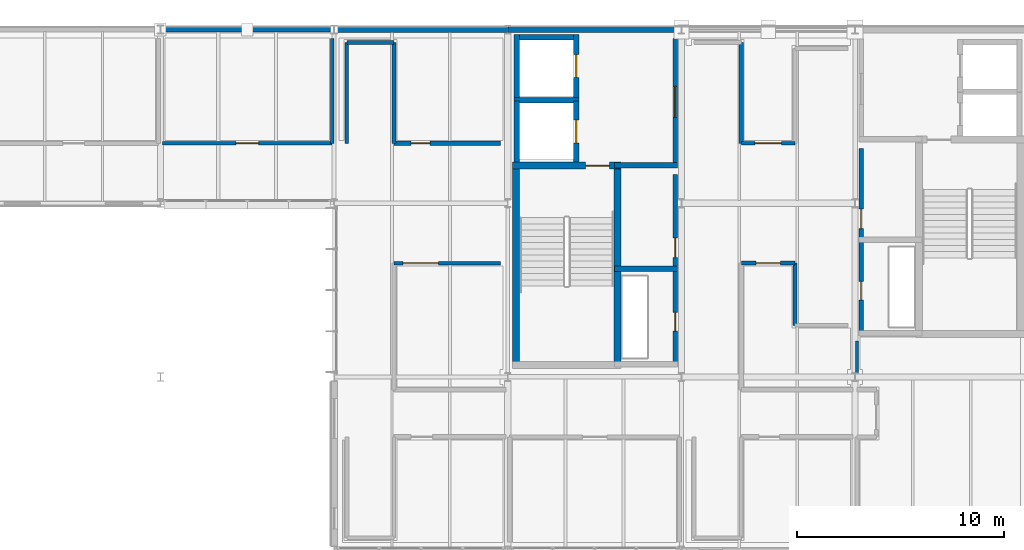
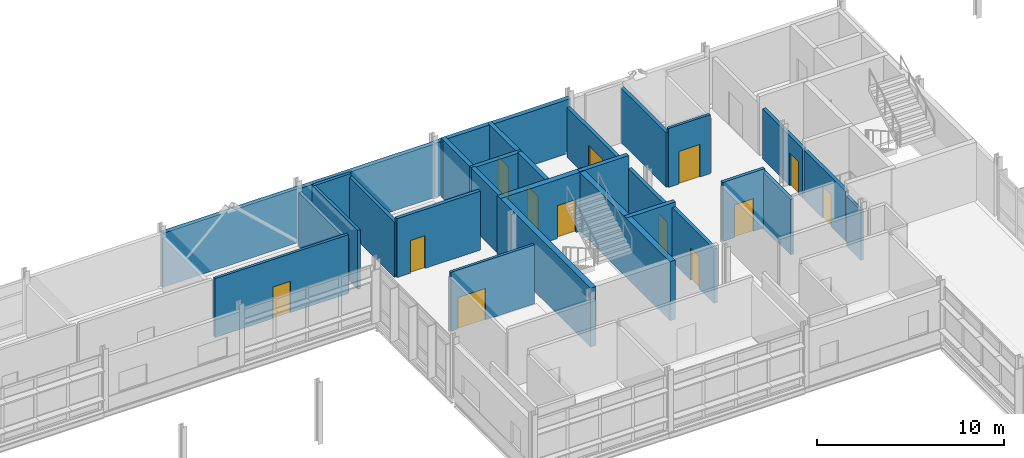
# One storey, part 55 of 66: 31 walls, 13 doors, 13 openings.
"""IFC4 building model written with IfcOpenShell, lengths in metres."""

from ifc_helpers import new_model, si_unit, direction, frame, frame_2d, origin, place, context, subcontext, project, spatial, rectangle, extrude, material, layer, layer_set, type_object, element, fill, save


model = new_model("IFC4")

# Units and contexts
model_context = context("Model", 3, precision=1e-05, world=origin(), true_north=direction((0.0, 1.0)))
body_context = subcontext(model_context, "Body", "Model", "MODEL_VIEW")
ifc_project = project(units=[si_unit("LENGTHUNIT", "METRE"), si_unit("AREAUNIT", "SQUARE_METRE"), si_unit("VOLUMEUNIT", "CUBIC_METRE"), si_unit("PLANEANGLEUNIT", "RADIAN"), si_unit("MASSUNIT", "GRAM", prefix="KILO")], contexts=[model_context])

# Site, building, storey
site_placement = place(None, origin())
site = spatial("IfcSite", under=ifc_project, at=site_placement, CompositionType="ELEMENT")
building_placement = place(site_placement, origin())
building = spatial("IfcBuilding", under=site, at=building_placement, Name="Mersafa Astral City Hall", CompositionType="ELEMENT")
storey_placement = place(building_placement, frame((0.0, 0.0, 22.050048828125)))
storey = spatial("IfcBuildingStorey", under=building, at=storey_placement, Name="L05", CompositionType="ELEMENT", Elevation=22.050048828125)

# Walls
ifc_material_1 = material(Name="Precast concrete C40/50 insulated terracotta spandrel", Category="masonry")
ifc_layer_1 = layer(ifc_material_1, 0.25, Name="Precast concrete C40/50 insulated terracotta spandrel")
ifc_layer_set_1 = layer_set([ifc_layer_1], Name="Precast concrete C40/50 insulated terracotta spandrel — ENV-WAL-EXT-250")
wall_type_1 = type_object("IfcWallType", Name="ENV-WAL-EXT-250", PredefinedType="STANDARD", material=ifc_layer_set_1)
wall_1_placement = place(storey_placement, frame((142.7919921875, 126.0, 0.0), z_axis=(0.0, 0.0, 1.0), x_axis=(-1.0, 0.0, 0.0)))
element("IfcWall", 1, at=wall_1_placement, inside=storey, type_object=wall_type_1, Name="L05 Limestone-clad exterior wall 346", PredefinedType="STANDARD", context=body_context, shape_type="SweptSolid", body=[
    extrude(rectangle(XDim=8.384033203125, YDim=0.25, at=frame_2d((4.19189453125, 0.0))), origin(), (0.0, 0.0, 1.0), 3.52685546875),
])
ifc_material_2 = material(Name="Precast concrete C40/50 insulated limestone wall", Category="masonry")
ifc_layer_2 = layer(ifc_material_2, 0.264892578125, Name="Precast concrete C40/50 insulated limestone wall")
ifc_layer_set_2 = layer_set([ifc_layer_2], Name="Precast concrete C40/50 insulated limestone wall — ENV-WAL-EXT-265")
wall_type_2 = type_object("IfcWallType", Name="ENV-WAL-EXT-265", PredefinedType="STANDARD", material=ifc_layer_set_2)
wall_2_placement = place(storey_placement, frame((151.19189453125, 126.0, 0.0), z_axis=(0.0, 0.0, 1.0), x_axis=(-1.0, 0.0, 0.0)))
element("IfcWall", 2, at=wall_2_placement, inside=storey, type_object=wall_type_2, Name="L05 Limestone-clad exterior wall 345", PredefinedType="STANDARD", context=body_context, shape_type="SweptSolid", body=[
    extrude(rectangle(XDim=8.3837890625, YDim=0.264892578125, at=frame_2d((4.19189453125, 0.0))), origin(), (0.0, 0.0, 1.0), 3.4970703125),
])
ifc_layer_3 = layer(ifc_material_2, 0.280029296875, Name="Precast concrete C40/50 insulated limestone wall")
ifc_layer_set_3 = layer_set([ifc_layer_3], Name="Precast concrete C40/50 insulated limestone wall — ENV-WAL-EXT-280")
wall_type_3 = type_object("IfcWallType", Name="ENV-WAL-EXT-280", PredefinedType="STANDARD", material=ifc_layer_set_3)
wall_3_placement = place(storey_placement, frame((159.592041015625, 126.0, 0.0), z_axis=(0.0, 0.0, 1.0), x_axis=(-1.0, 0.0, 0.0)))
element("IfcWall", 3, at=wall_3_placement, inside=storey, type_object=wall_type_3, Name="L05 Limestone-clad exterior wall 344", PredefinedType="STANDARD", context=body_context, shape_type="SweptSolid", body=[
    extrude(rectangle(XDim=8.384033203125, YDim=0.280029296875, at=frame_2d((4.19189453125, 0.0))), origin(), (0.0, 0.0, 1.0), 3.52685546875),
])
ifc_material_3 = material(Name="Concrete C40/50", Category="concrete")
ifc_layer_4 = layer(ifc_material_3, 0.260009765625, Name="Concrete C40/50")
ifc_layer_set_4 = layer_set([ifc_layer_4], Name="Concrete C40/50 — INT-WAL-CORE-260")
wall_type_4 = type_object("IfcWallType", Name="INT-WAL-CORE-260", PredefinedType="SHEAR", material=ifc_layer_set_4)
wall_4_placement = place(storey_placement, frame((151.514892578125, 122.5849609375, 0.0), z_axis=(0.0, 0.0, 1.0), x_axis=(1.0, 0.0, 0.0)))
element("IfcWall", 4, at=wall_4_placement, inside=storey, type_object=wall_type_4, Name="L05 Lift LF1 north shaft wall", PredefinedType="SHEAR", context=body_context, shape_type="SweptSolid", body=[
    extrude(rectangle(XDim=3.130126953125, YDim=0.260009765625, at=frame_2d((1.56494140625, 0.0))), origin(), (0.0, 0.0, 1.0), 3.849853515625),
])
wall_5_placement = place(storey_placement, frame((151.64501953125, 119.596923828125, 0.0), z_axis=(0.0, 0.0, 1.0), x_axis=(0.0, 1.0, 0.0)))
element("IfcWall", 5, at=wall_5_placement, inside=storey, type_object=wall_type_4, Name="L05 Lift LF1 back shaft wall", PredefinedType="SHEAR", context=body_context, shape_type="SweptSolid", body=[
    extrude(rectangle(XDim=2.947998046875, YDim=0.260009765625, at=frame_2d((1.47412109375, 0.0))), origin(), (0.0, 0.0, 1.0), 3.849853515625),
])

# Wall, opening, door
wall_6_placement = place(storey_placement, frame((154.514892578125, 119.596923828125, 0.0), z_axis=(0.0, 0.0, 1.0), x_axis=(0.0, 1.0, 0.0)))
wall_6 = element("IfcWall", 6, at=wall_6_placement, inside=storey, type_object=wall_type_4, Name="L05 Lift LF1 front shaft wall", PredefinedType="SHEAR", context=body_context, shape_type="SweptSolid", body=[
    extrude(rectangle(XDim=2.947998046875, YDim=0.260009765625, at=frame_2d((1.47412109375, 0.0))), origin(), (0.0, 0.0, 1.0), 3.849853515625),
])
opening_1_placement = place(wall_6_placement, frame((0.924072265625, 0.0, 0.0)))
opening_1 = element("IfcOpeningElement", 7, at=opening_1_placement, cuts=wall_6, Name="Opening LD-1", PredefinedType="OPENING", context=body_context, shape_type="SweptSolid", body=[
    extrude(rectangle(XDim=1.10009765625, YDim=2.14990234375, at=frame_2d((0.550048828125, 1.074951171875))), frame((0.0, 0.139892578125, 0.0), z_axis=(0.0, -1.0, 0.0), x_axis=(1.0, 0.0, 0.0)), (0.0, 0.0, 1.0), 0.280029296875),
])
ifc_material_4 = material(Name="Stainless steel sliding lift landing door", Category="steel")
door_type_1 = type_object("IfcDoorType", Name="INT-DR-LIFT-LD1", OperationType="NOTDEFINED", PredefinedType="DOOR", material=ifc_material_4)
door_1_placement = place(opening_1_placement, origin())
door_1 = element("IfcDoor", 8, at=door_1_placement, inside=storey, type_object=door_type_1, Name="Elevator LF1 Sliding Landing Door L05", OperationType="DOUBLE_DOOR_SLIDING", OverallHeight=2.14990234375, OverallWidth=1.10009765625, PredefinedType="DOOR", context=body_context, shape_type="SweptSolid", body=[
    extrude(rectangle(XDim=1.10009765625, YDim=2.14990234375, at=frame_2d((0.550048828125, 1.074951171875))), frame((0.0, 0.02490234375, 0.0), z_axis=(0.0, -1.0, 0.0), x_axis=(1.0, 0.0, 0.0)), (0.0, 0.0, 1.0), 0.050048828125),
])
fill(opening_1, door_1)

# Walls
wall_7_placement = place(storey_placement, frame((151.514892578125, 125.635009765625, 0.0), z_axis=(0.0, 0.0, 1.0), x_axis=(1.0, 0.0, 0.0)))
element("IfcWall", 9, at=wall_7_placement, inside=storey, type_object=wall_type_4, Name="L05 Lift LF3 north shaft wall", PredefinedType="SHEAR", context=body_context, shape_type="SweptSolid", body=[
    extrude(rectangle(XDim=3.130126953125, YDim=0.260009765625, at=frame_2d((1.56494140625, 0.0))), origin(), (0.0, 0.0, 1.0), 3.849853515625),
])
wall_8_placement = place(storey_placement, frame((151.64501953125, 122.705078125, 0.0), z_axis=(0.0, 0.0, 1.0), x_axis=(0.0, 1.0, 0.0)))
element("IfcWall", 10, at=wall_8_placement, inside=storey, type_object=wall_type_4, Name="L05 Lift LF3 back shaft wall", PredefinedType="SHEAR", context=body_context, shape_type="SweptSolid", body=[
    extrude(rectangle(XDim=3.059814453125, YDim=0.260009765625, at=frame_2d((1.52978515625, 0.0))), origin(), (0.0, 0.0, 1.0), 3.849853515625),
])

# Wall, opening, door
wall_9_placement = place(storey_placement, frame((154.514892578125, 122.705078125, 0.0), z_axis=(0.0, 0.0, 1.0), x_axis=(0.0, 1.0, 0.0)))
wall_9 = element("IfcWall", 11, at=wall_9_placement, inside=storey, type_object=wall_type_4, Name="L05 Lift LF3 front shaft wall", PredefinedType="SHEAR", context=body_context, shape_type="SweptSolid", body=[
    extrude(rectangle(XDim=3.059814453125, YDim=0.260009765625, at=frame_2d((1.52978515625, 0.0))), origin(), (0.0, 0.0, 1.0), 3.849853515625),
])
opening_2_placement = place(wall_9_placement, frame((0.97998046875, 0.0, 0.0)))
opening_2 = element("IfcOpeningElement", 12, at=opening_2_placement, cuts=wall_9, Name="Opening LD-1", PredefinedType="OPENING", context=body_context, shape_type="SweptSolid", body=[
    extrude(rectangle(XDim=1.10009765625, YDim=2.14990234375, at=frame_2d((0.550048828125, 1.074951171875))), frame((0.0, 0.139892578125, 0.0), z_axis=(0.0, -1.0, 0.0), x_axis=(1.0, 0.0, 0.0)), (0.0, 0.0, 1.0), 0.280029296875),
])
door_2_placement = place(opening_2_placement, origin())
door_2 = element("IfcDoor", 13, at=door_2_placement, inside=storey, type_object=door_type_1, Name="Elevator LF3 Sliding Landing Door L05", OperationType="DOUBLE_DOOR_SLIDING", OverallHeight=2.14990234375, OverallWidth=1.10009765625, PredefinedType="DOOR", context=body_context, shape_type="SweptSolid", body=[
    extrude(rectangle(XDim=1.10009765625, YDim=2.14990234375, at=frame_2d((0.550048828125, 1.074951171875))), frame((0.0, 0.02490234375, 0.0), z_axis=(0.0, -1.0, 0.0), x_axis=(1.0, 0.0, 0.0)), (0.0, 0.0, 1.0), 0.050048828125),
])
fill(opening_2, door_2)

# Walls
for number, where, z_axis, x_axis, name in (
    (14, (156.364990234375, 114.43505859375, 0.0), (0.0, 0.0, 1.0), (1.0, 0.0, 0.0), "L05 Core K1 riser-restroom divider wall"),
    (15, (156.364990234375, 119.43505859375, 0.0), (0.0, 0.0, 1.0), (1.0, 0.0, 0.0), "L05 Core K1 restroom-lobby divider wall"),
):
    element("IfcWall", number, at=place(storey_placement, frame(where, z_axis=z_axis, x_axis=x_axis)), inside=storey, type_object=wall_type_4, Name=name, PredefinedType="SHEAR", context=body_context, shape_type="SweptSolid", body=[
        extrude(rectangle(XDim=3.034912109375, YDim=0.260009765625, at=frame_2d((1.517578125, 0.0))), origin(), (0.0, 0.0, 1.0), 3.849853515625),
    ])
ifc_layer_5 = layer(ifc_material_3, 0.340087890625, Name="Concrete C40/50")
ifc_layer_set_5 = layer_set([ifc_layer_5], Name="Concrete C40/50 — INT-WAL-CORE-340")
wall_type_5 = type_object("IfcWallType", Name="INT-WAL-CORE-340", PredefinedType="SHEAR", material=ifc_layer_set_5)
for number, where, z_axis, x_axis, name in (
    (16, (151.60498046875, 109.60498046875, 0.0), (0.0, 0.0, 1.0), (0.0, 1.0, 0.0), "L05 Core K1 stair west shear wall"),
    (17, (156.514892578125, 109.60498046875, 0.0), (0.0, 0.0, 1.0), (0.0, 1.0, 0.0), "L05 Core K1 stair east shear wall"),
):
    element("IfcWall", number, at=place(storey_placement, frame(where, z_axis=z_axis, x_axis=x_axis)), inside=storey, type_object=wall_type_5, Name=name, PredefinedType="SHEAR", context=body_context, shape_type="SweptSolid", body=[
        extrude(rectangle(XDim=9.989990234375, YDim=0.340087890625, at=frame_2d((4.9951171875, 0.0))), origin(), (0.0, 0.0, 1.0), 3.849853515625),
    ])

# Wall, opening, door
wall_10_placement = place(storey_placement, frame((151.43505859375, 119.425048828125, 0.0), z_axis=(0.0, 0.0, 1.0), x_axis=(1.0, 0.0, 0.0)))
wall_10 = element("IfcWall", 18, at=wall_10_placement, inside=storey, type_object=wall_type_5, Name="L05 Core K1 stair-lobby fire wall", PredefinedType="SHEAR", context=body_context, shape_type="SweptSolid", body=[
    extrude(rectangle(XDim=5.25, YDim=0.340087890625, at=frame_2d((2.625, 0.0))), origin(), (0.0, 0.0, 1.0), 3.849853515625),
])
opening_3_placement = place(wall_10_placement, frame((3.534912109375, 0.0, 0.0)))
opening_3 = element("IfcOpeningElement", 19, at=opening_3_placement, cuts=wall_10, Name="Opening CD-1", PredefinedType="OPENING", context=body_context, shape_type="SweptSolid", body=[
    extrude(rectangle(XDim=1.14990234375, YDim=2.14990234375, at=frame_2d((0.574951171875, 1.074951171875))), frame((0.0, 0.179931640625, 0.0), z_axis=(0.0, -1.0, 0.0), x_axis=(1.0, 0.0, 0.0)), (0.0, 0.0, 1.0), 0.360107421875),
])
ifc_material_5 = material(Name="Fire-rated steel stair door", Category="steel")
door_type_2 = type_object("IfcDoorType", Name="INT-DR-STAIR-FD90-1150", OperationType="NOTDEFINED", PredefinedType="DOOR", material=ifc_material_5)
door_3_placement = place(opening_3_placement, origin())
door_3 = element("IfcDoor", 20, at=door_3_placement, inside=storey, type_object=door_type_2, Name="L05 Protected Stair ST1 Door", OperationType="SINGLE_SWING_LEFT", OverallHeight=2.14990234375, OverallWidth=1.14990234375, PredefinedType="DOOR", context=body_context, shape_type="SweptSolid", body=[
    extrude(rectangle(XDim=1.14990234375, YDim=2.14990234375, at=frame_2d((0.574951171875, 1.074951171875))), frame((0.0, 0.02490234375, 0.0), z_axis=(0.0, -1.0, 0.0), x_axis=(1.0, 0.0, 0.0)), (0.0, 0.0, 1.0), 0.050048828125),
])
fill(opening_3, door_3)

# Wall
ifc_material_6 = material(Name="Acoustic steel-stud gypsum partition", Category="steel")
ifc_layer_6 = layer(ifc_material_6, 0.14990234375, Name="Acoustic steel-stud gypsum partition")
ifc_layer_set_6 = layer_set([ifc_layer_6], Name="Acoustic steel-stud gypsum partition — INT-WAL-PART-EI30-150")
wall_type_6 = type_object("IfcWallType", Name="INT-WAL-PART-EI30-150", PredefinedType="STANDARD", material=ifc_layer_set_6)
wall_11_placement = place(storey_placement, frame((168.090087890625, 109.3740234375, -0.004150390625), z_axis=(0.0, 0.0, 1.0), x_axis=(0.0, 1.0, 0.0)))
element("IfcWall", 21, at=wall_11_placement, inside=storey, type_object=wall_type_6, Name="L05 Interior partition wall 741", PredefinedType="STANDARD", context=body_context, shape_type="SweptSolid", body=[
    extrude(rectangle(XDim=1.56591796875, YDim=0.14990234375, at=frame_2d((0.782958984375, 0.0))), origin(), (0.0, 0.0, 1.0), 3.260986328125),
])

# Wall, opening, door
ifc_material_7 = material(Name="Fire-rated gypsum stud partition", Category="gypsum")
ifc_layer_7 = layer(ifc_material_7, 0.1650390625, Name="Fire-rated gypsum stud partition")
ifc_layer_set_7 = layer_set([ifc_layer_7], Name="Fire-rated gypsum stud partition — INT-WAL-PART-EI60-165")
wall_type_7 = type_object("IfcWallType", Name="INT-WAL-PART-EI60-165", PredefinedType="STANDARD", material=ifc_layer_set_7)
wall_12_placement = place(storey_placement, frame((142.7099609375, 120.5, -0.004150390625), z_axis=(0.0, 0.0, 1.0), x_axis=(-1.0, 0.0, 0.0)))
wall_12 = element("IfcWall", 22, at=wall_12_placement, inside=storey, type_object=wall_type_7, Name="L05 Interior partition wall 759", PredefinedType="STANDARD", context=body_context, shape_type="SweptSolid", body=[
    extrude(rectangle(XDim=8.219970703125, YDim=0.1650390625, at=frame_2d((4.10986328125, 0.0))), origin(), (0.0, 0.0, 1.0), 3.85400390625),
])
opening_4_placement = place(wall_12_placement, frame((3.56005859375, 0.0, 0.0)))
opening_4 = element("IfcOpeningElement", 23, at=opening_4_placement, cuts=wall_12, Name="Opening D-04", PredefinedType="OPENING", context=body_context, shape_type="SweptSolid", body=[
    extrude(rectangle(XDim=1.10009765625, YDim=2.06005859375, at=frame_2d((0.550048828125, 1.030029296875))), frame((0.0, 0.092529296875, 0.0), z_axis=(0.0, -1.0, 0.0), x_axis=(1.0, 0.0, 0.0)), (0.0, 0.0, 1.0), 0.18505859375),
])
ifc_material_8 = material(Name="Cedar veneered acoustic fire-rated timber door", Category="wood")
door_type_3 = type_object("IfcDoorType", Name="INT-DR-RM-D-04", OperationType="NOTDEFINED", PredefinedType="DOOR", material=ifc_material_8)
door_4_placement = place(opening_4_placement, origin())
door_4 = element("IfcDoor", 24, at=door_4_placement, inside=storey, type_object=door_type_3, Name="L05 Deputy Mayor Executive Suite L05-09 Entrance Door", OperationType="SINGLE_SWING_RIGHT", OverallHeight=2.06005859375, OverallWidth=1.10009765625, PredefinedType="DOOR", context=body_context, shape_type="SweptSolid", body=[
    extrude(rectangle(XDim=1.10009765625, YDim=2.06005859375, at=frame_2d((0.550048828125, 1.030029296875))), frame((0.0, 0.02490234375, 0.0), z_axis=(0.0, -1.0, 0.0), x_axis=(1.0, 0.0, 0.0)), (0.0, 0.0, 1.0), 0.050048828125),
])
fill(opening_4, door_4)

wall_13_placement = place(storey_placement, frame((145.699951171875, 114.699951171875, -0.004150390625), z_axis=(0.0, 0.0, 1.0), x_axis=(1.0, 0.0, 0.0)))
wall_13 = element("IfcWall", 25, at=wall_13_placement, inside=storey, type_object=wall_type_7, Name="L05 Interior partition wall 775", PredefinedType="STANDARD", context=body_context, shape_type="SweptSolid", body=[
    extrude(rectangle(XDim=5.16015625, YDim=0.1650390625, at=frame_2d((2.580078125, 0.0))), origin(), (0.0, 0.0, 1.0), 3.85400390625),
])
opening_5_placement = place(wall_13_placement, frame((0.429931640625, 0.0, 0.0)))
opening_5 = element("IfcOpeningElement", 26, at=opening_5_placement, cuts=wall_13, Name="Opening D-09", PredefinedType="OPENING", context=body_context, shape_type="SweptSolid", body=[
    extrude(rectangle(XDim=1.719970703125, YDim=2.06005859375, at=frame_2d((0.85986328125, 1.030029296875))), frame((0.0, 0.092529296875, 0.0), z_axis=(0.0, -1.0, 0.0), x_axis=(1.0, 0.0, 0.0)), (0.0, 0.0, 1.0), 0.18505859375),
])
door_type_4 = type_object("IfcDoorType", Name="INT-DR-RM-D-09", OperationType="NOTDEFINED", PredefinedType="DOOR", material=ifc_material_8)
door_5_placement = place(opening_5_placement, origin())
door_5 = element("IfcDoor", 27, at=door_5_placement, inside=storey, type_object=door_type_4, Name="L05 Public Restroom L05-14 Entrance Door", OperationType="SINGLE_SWING_LEFT", OverallHeight=2.06005859375, OverallWidth=1.719970703125, PredefinedType="DOOR", context=body_context, shape_type="SweptSolid", body=[
    extrude(rectangle(XDim=1.719970703125, YDim=2.06005859375, at=frame_2d((0.85986328125, 1.030029296875))), frame((0.0, 0.02490234375, 0.0), z_axis=(0.0, -1.0, 0.0), x_axis=(1.0, 0.0, 0.0)), (0.0, 0.0, 1.0), 0.050048828125),
])
fill(opening_5, door_5)

# Wall
wall_14_placement = place(storey_placement, frame((143.419921875, 125.3798828125, -0.004150390625), z_axis=(0.0, 0.0, 1.0), x_axis=(0.0, -1.0, 0.0)))
element("IfcWall", 28, at=wall_14_placement, inside=storey, type_object=wall_type_7, Name="L05 Interior partition wall 779", PredefinedType="STANDARD", context=body_context, shape_type="SweptSolid", body=[
    extrude(rectangle(XDim=4.8798828125, YDim=0.1650390625, at=frame_2d((2.43994140625, 0.0))), origin(), (0.0, 0.0, 1.0), 3.85400390625),
])

# Wall, opening, door
wall_15_placement = place(storey_placement, frame((165.10009765625, 120.5, -0.004150390625), z_axis=(0.0, 0.0, 1.0), x_axis=(-1.0, 0.0, 0.0)))
wall_15 = element("IfcWall", 29, at=wall_15_placement, inside=storey, type_object=wall_type_7, Name="L05 Interior partition wall 799", PredefinedType="STANDARD", context=body_context, shape_type="SweptSolid", body=[
    extrude(rectangle(XDim=2.60009765625, YDim=0.1650390625, at=frame_2d((1.300048828125, 0.0))), origin(), (0.0, 0.0, 1.0), 3.85400390625),
])
opening_6_placement = place(wall_15_placement, frame((0.659912109375, 0.0, 0.0)))
opening_6 = element("IfcOpeningElement", 30, at=opening_6_placement, cuts=wall_15, Name="Opening D-15", PredefinedType="OPENING", context=body_context, shape_type="SweptSolid", body=[
    extrude(rectangle(XDim=1.280029296875, YDim=2.139892578125, at=frame_2d((0.64013671875, 1.06982421875))), frame((0.0, 0.092529296875, 0.0), z_axis=(0.0, -1.0, 0.0), x_axis=(1.0, 0.0, 0.0)), (0.0, 0.0, 1.0), 0.18505859375),
])
door_type_5 = type_object("IfcDoorType", Name="INT-DR-RM-D-15", OperationType="NOTDEFINED", PredefinedType="DOOR", material=ifc_material_8)
door_6_placement = place(opening_6_placement, origin())
door_6 = element("IfcDoor", 31, at=door_6_placement, inside=storey, type_object=door_type_5, Name="L05 Protocol & Civic Events Office L05-20 Entrance Door", OperationType="SINGLE_SWING_LEFT", OverallHeight=2.139892578125, OverallWidth=1.280029296875, PredefinedType="DOOR", context=body_context, shape_type="SweptSolid", body=[
    extrude(rectangle(XDim=1.280029296875, YDim=2.139892578125, at=frame_2d((0.64013671875, 1.06982421875))), frame((0.0, 0.02490234375, 0.0), z_axis=(0.0, -1.0, 0.0), x_axis=(1.0, 0.0, 0.0)), (0.0, 0.0, 1.0), 0.050048828125),
])
fill(opening_6, door_6)

# Walls
ifc_material_9 = material(Name="Acoustic twin-stud gypsum partition", Category="gypsum")
ifc_layer_8 = layer(ifc_material_9, 0.179931640625, Name="Acoustic twin-stud gypsum partition")
ifc_layer_set_8 = layer_set([ifc_layer_8], Name="Acoustic twin-stud gypsum partition — INT-WAL-PART-EI60-180")
wall_type_8 = type_object("IfcWallType", Name="INT-WAL-PART-EI60-180", PredefinedType="STANDARD", material=ifc_layer_set_8)
wall_16_placement = place(storey_placement, frame((142.7099609375, 125.580078125, -0.004150390625), z_axis=(0.0, 0.0, 1.0), x_axis=(0.0, -1.0, 0.0)))
element("IfcWall", 32, at=wall_16_placement, inside=storey, type_object=wall_type_8, Name="L05 Interior partition wall 758", PredefinedType="STANDARD", context=body_context, shape_type="SweptSolid", body=[
    extrude(rectangle(XDim=5.080078125, YDim=0.179931640625, at=frame_2d((2.5400390625, 0.0))), origin(), (0.0, 0.0, 1.0), 3.510986328125),
])
wall_17_placement = place(storey_placement, frame((145.699951171875, 125.3798828125, -0.004150390625), z_axis=(0.0, 0.0, 1.0), x_axis=(-1.0, 0.0, 0.0)))
element("IfcWall", 33, at=wall_17_placement, inside=storey, type_object=wall_type_8, Name="L05 Interior partition wall 778", PredefinedType="STANDARD", context=body_context, shape_type="SweptSolid", body=[
    extrude(rectangle(XDim=2.280029296875, YDim=0.179931640625, at=frame_2d((1.14013671875, 0.0))), origin(), (0.0, 0.0, 1.0), 3.85400390625),
])
wall_18_placement = place(storey_placement, frame((165.10009765625, 114.699951171875, -0.004150390625), z_axis=(0.0, 0.0, 1.0), x_axis=(0.0, -1.0, 0.0)))
element("IfcWall", 34, at=wall_18_placement, inside=storey, type_object=wall_type_8, Name="L05 Interior partition wall 794", PredefinedType="STANDARD", context=body_context, shape_type="SweptSolid", body=[
    extrude(rectangle(XDim=3.0, YDim=0.179931640625, at=frame_2d((1.5, 0.0))), origin(), (0.0, 0.0, 1.0), 3.64111328125),
])
ifc_layer_9 = layer(ifc_material_9, 0.195068359375, Name="Acoustic twin-stud gypsum partition")
ifc_layer_set_9 = layer_set([ifc_layer_9], Name="Acoustic twin-stud gypsum partition — INT-WAL-PART-EI60-195")
wall_type_9 = type_object("IfcWallType", Name="INT-WAL-PART-EI60-195", PredefinedType="STANDARD", material=ifc_layer_set_9)
wall_19_placement = place(storey_placement, frame((145.699951171875, 120.5, -0.004150390625), z_axis=(0.0, 0.0, 1.0), x_axis=(0.0, 1.0, 0.0)))
element("IfcWall", 35, at=wall_19_placement, inside=storey, type_object=wall_type_9, Name="L05 Interior partition wall 777", PredefinedType="STANDARD", context=body_context, shape_type="SweptSolid", body=[
    extrude(rectangle(XDim=4.8798828125, YDim=0.195068359375, at=frame_2d((2.43994140625, 0.0))), origin(), (0.0, 0.0, 1.0), 3.62109375),
])

# Wall, opening, door
wall_20_placement = place(storey_placement, frame((162.5, 114.699951171875, -0.004150390625), z_axis=(0.0, 0.0, 1.0), x_axis=(1.0, 0.0, 0.0)))
wall_20 = element("IfcWall", 36, at=wall_20_placement, inside=storey, type_object=wall_type_9, Name="L05 Interior partition wall 793", PredefinedType="STANDARD", context=body_context, shape_type="SweptSolid", body=[
    extrude(rectangle(XDim=2.60009765625, YDim=0.195068359375, at=frame_2d((1.300048828125, 0.0))), origin(), (0.0, 0.0, 1.0), 3.85400390625),
])
opening_7_placement = place(wall_20_placement, frame((0.7099609375, 0.0, 0.0)))
opening_7 = element("IfcOpeningElement", 37, at=opening_7_placement, cuts=wall_20, Name="Opening D-14", PredefinedType="OPENING", context=body_context, shape_type="SweptSolid", body=[
    extrude(rectangle(XDim=1.179931640625, YDim=2.139892578125, at=frame_2d((0.58984375, 1.06982421875))), frame((0.0, 0.107421875, 0.0), z_axis=(0.0, -1.0, 0.0), x_axis=(1.0, 0.0, 0.0)), (0.0, 0.0, 1.0), 0.215087890625),
])
door_type_6 = type_object("IfcDoorType", Name="INT-DR-RM-D-14", OperationType="NOTDEFINED", PredefinedType="DOOR", material=ifc_material_8)
door_7_placement = place(opening_7_placement, origin())
door_7 = element("IfcDoor", 38, at=door_7_placement, inside=storey, type_object=door_type_6, Name="L05 Inter-District Coordination Room L05-19 Entrance Door", OperationType="SINGLE_SWING_RIGHT", OverallHeight=2.139892578125, OverallWidth=1.179931640625, PredefinedType="DOOR", context=body_context, shape_type="SweptSolid", body=[
    extrude(rectangle(XDim=1.179931640625, YDim=2.139892578125, at=frame_2d((0.58984375, 1.06982421875))), frame((0.0, 0.02490234375, 0.0), z_axis=(0.0, -1.0, 0.0), x_axis=(1.0, 0.0, 0.0)), (0.0, 0.0, 1.0), 0.050048828125),
])
fill(opening_7, door_7)

ifc_material_10 = material(Name="Autoclaved aerated concrete blockwork plastered", Category="masonry")
ifc_layer_10 = layer(ifc_material_10, 0.2099609375, Name="Autoclaved aerated concrete blockwork plastered")
ifc_layer_set_10 = layer_set([ifc_layer_10], Name="Autoclaved aerated concrete blockwork plastered — INT-WAL-PART-EI60-210")
wall_type_10 = type_object("IfcWallType", Name="INT-WAL-PART-EI60-210", PredefinedType="STANDARD", material=ifc_layer_set_10)
wall_21_placement = place(storey_placement, frame((159.300048828125, 109.820068359375, 0.0), z_axis=(0.0, 0.0, 1.0), x_axis=(0.0, 1.0, 0.0)))
wall_21 = element("IfcWall", 39, at=wall_21_placement, inside=storey, type_object=wall_type_10, Name="L05 Core K1 riser corridor partition", PredefinedType="STANDARD", context=body_context, shape_type="SweptSolid", body=[
    extrude(rectangle(XDim=4.58984375, YDim=0.2099609375, at=frame_2d((2.294921875, 0.0))), origin(), (0.0, 0.0, 1.0), 3.546875),
])
opening_8_placement = place(wall_21_placement, frame((1.60009765625, 0.0, 0.0)))
opening_8 = element("IfcOpeningElement", 40, at=opening_8_placement, cuts=wall_21, Name="Opening CD-5", PredefinedType="OPENING", context=body_context, shape_type="SweptSolid", body=[
    extrude(rectangle(XDim=0.89990234375, YDim=2.10009765625, at=frame_2d((0.449951171875, 1.050048828125))), frame((0.0, 0.114990234375, 0.0), z_axis=(0.0, -1.0, 0.0), x_axis=(1.0, 0.0, 0.0)), (0.0, 0.0, 1.0), 0.22998046875),
])
ifc_material_11 = material(Name="Fire-rated steel riser access door", Category="steel")
door_type_7 = type_object("IfcDoorType", Name="INT-DR-RISER-FD60-900", OperationType="NOTDEFINED", PredefinedType="DOOR", material=ifc_material_11)
door_8_placement = place(opening_8_placement, origin())
door_8 = element("IfcDoor", 41, at=door_8_placement, inside=storey, type_object=door_type_7, Name="L05 K1 MEP Riser Access Door", OperationType="SINGLE_SWING_RIGHT", OverallHeight=2.10009765625, OverallWidth=0.89990234375, PredefinedType="DOOR", context=body_context, shape_type="SweptSolid", body=[
    extrude(rectangle(XDim=0.89990234375, YDim=2.10009765625, at=frame_2d((0.449951171875, 1.050048828125))), frame((0.0, 0.02490234375, 0.0), z_axis=(0.0, -1.0, 0.0), x_axis=(1.0, 0.0, 0.0)), (0.0, 0.0, 1.0), 0.050048828125),
])
fill(opening_8, door_8)

wall_22_placement = place(storey_placement, frame((159.300048828125, 114.52001953125, 0.0), z_axis=(0.0, 0.0, 1.0), x_axis=(0.0, 1.0, 0.0)))
wall_22 = element("IfcWall", 42, at=wall_22_placement, inside=storey, type_object=wall_type_10, Name="L05 Core K1 accessible WC corridor partition", PredefinedType="STANDARD", context=body_context, shape_type="SweptSolid", body=[
    extrude(rectangle(XDim=4.47998046875, YDim=0.2099609375, at=frame_2d((2.239990234375, 0.0))), origin(), (0.0, 0.0, 1.0), 3.2568359375),
])
opening_9_placement = place(wall_22_placement, frame((0.449951171875, 0.0, 0.0)))
opening_9 = element("IfcOpeningElement", 43, at=opening_9_placement, cuts=wall_22, Name="Opening CD-4", PredefinedType="OPENING", context=body_context, shape_type="SweptSolid", body=[
    extrude(rectangle(XDim=0.949951171875, YDim=2.14990234375, at=frame_2d((0.47509765625, 1.074951171875))), frame((0.0, 0.114990234375, 0.0), z_axis=(0.0, -1.0, 0.0), x_axis=(1.0, 0.0, 0.0)), (0.0, 0.0, 1.0), 0.22998046875),
])
ifc_material_12 = material(Name="Accessible timber acoustic WC door", Category="wood")
door_type_8 = type_object("IfcDoorType", Name="INT-DR-WC-FD30-950", OperationType="NOTDEFINED", PredefinedType="DOOR", material=ifc_material_12)
door_9_placement = place(opening_9_placement, origin())
door_9 = element("IfcDoor", 44, at=door_9_placement, inside=storey, type_object=door_type_8, Name="L05 K1 Accessible Restroom Door", OperationType="SINGLE_SWING_LEFT", OverallHeight=2.14990234375, OverallWidth=0.949951171875, PredefinedType="DOOR", context=body_context, shape_type="SweptSolid", body=[
    extrude(rectangle(XDim=0.949951171875, YDim=2.14990234375, at=frame_2d((0.47509765625, 1.074951171875))), frame((0.0, 0.02490234375, 0.0), z_axis=(0.0, -1.0, 0.0), x_axis=(1.0, 0.0, 0.0)), (0.0, 0.0, 1.0), 0.050048828125),
])
fill(opening_9, door_9)

wall_23_placement = place(storey_placement, frame((159.300048828125, 119.43994140625, 0.0), z_axis=(0.0, 0.0, 1.0), x_axis=(0.0, 1.0, 0.0)))
wall_23 = element("IfcWall", 45, at=wall_23_placement, inside=storey, type_object=wall_type_10, Name="L05 Core K1 lobby corridor partition", PredefinedType="STANDARD", context=body_context, shape_type="SweptSolid", body=[
    extrude(rectangle(XDim=6.1201171875, YDim=0.2099609375, at=frame_2d((3.06005859375, 0.0))), origin(), (0.0, 0.0, 1.0), 3.2568359375),
])
opening_10_placement = place(wall_23_placement, frame((2.31005859375, 0.0, 0.0)))
opening_10 = element("IfcOpeningElement", 46, at=opening_10_placement, cuts=wall_23, Name="Opening CD-3", PredefinedType="OPENING", context=body_context, shape_type="SweptSolid", body=[
    extrude(rectangle(XDim=1.5, YDim=2.199951171875, at=frame_2d((0.75, 1.10009765625))), frame((0.0, 0.114990234375, 0.0), z_axis=(0.0, -1.0, 0.0), x_axis=(1.0, 0.0, 0.0)), (0.0, 0.0, 1.0), 0.22998046875),
])
ifc_material_13 = material(Name="Fire-rated glazed lobby door pair", Category="metal")
door_type_9 = type_object("IfcDoorType", Name="INT-DR-LOBBY-FD90-1500", OperationType="NOTDEFINED", PredefinedType="DOOR", material=ifc_material_13)
door_10_placement = place(opening_10_placement, origin())
door_10 = element("IfcDoor", 47, at=door_10_placement, inside=storey, type_object=door_type_9, Name="L05 K1 Lift Lobby Fire Door", OperationType="DOUBLE_DOOR_SINGLE_SWING", OverallHeight=2.199951171875, OverallWidth=1.5, PredefinedType="DOOR", context=body_context, shape_type="SweptSolid", body=[
    extrude(rectangle(XDim=1.5, YDim=2.199951171875, at=frame_2d((0.75, 1.10009765625))), frame((0.0, 0.02490234375, 0.0), z_axis=(0.0, -1.0, 0.0), x_axis=(1.0, 0.0, 0.0)), (0.0, 0.0, 1.0), 0.050048828125),
])
fill(opening_10, door_10)

wall_24_placement = place(storey_placement, frame((168.300048828125, 111.320068359375, 0.0), z_axis=(0.0, 0.0, 1.0), x_axis=(0.0, 1.0, 0.0)))
wall_24 = element("IfcWall", 48, at=wall_24_placement, inside=storey, type_object=wall_type_10, Name="L05 Core K2 riser corridor partition", PredefinedType="STANDARD", context=body_context, shape_type="SweptSolid", body=[
    extrude(rectangle(XDim=4.489990234375, YDim=0.2099609375, at=frame_2d((2.2451171875, 0.0))), origin(), (0.0, 0.0, 1.0), 3.2568359375),
])
opening_11_placement = place(wall_24_placement, frame((1.60009765625, 0.0, 0.0)))
opening_11 = element("IfcOpeningElement", 49, at=opening_11_placement, cuts=wall_24, Name="Opening CD-5", PredefinedType="OPENING", context=body_context, shape_type="SweptSolid", body=[
    extrude(rectangle(XDim=0.89990234375, YDim=2.10009765625, at=frame_2d((0.449951171875, 1.050048828125))), frame((0.0, 0.114990234375, 0.0), z_axis=(0.0, -1.0, 0.0), x_axis=(1.0, 0.0, 0.0)), (0.0, 0.0, 1.0), 0.22998046875),
])
door_11_placement = place(opening_11_placement, origin())
door_11 = element("IfcDoor", 50, at=door_11_placement, inside=storey, type_object=door_type_7, Name="L05 K2 MEP Riser Access Door", OperationType="SINGLE_SWING_LEFT", OverallHeight=2.10009765625, OverallWidth=0.89990234375, PredefinedType="DOOR", context=body_context, shape_type="SweptSolid", body=[
    extrude(rectangle(XDim=0.89990234375, YDim=2.10009765625, at=frame_2d((0.449951171875, 1.050048828125))), frame((0.0, 0.02490234375, 0.0), z_axis=(0.0, -1.0, 0.0), x_axis=(1.0, 0.0, 0.0)), (0.0, 0.0, 1.0), 0.050048828125),
])
fill(opening_11, door_11)

wall_25_placement = place(storey_placement, frame((168.300048828125, 115.919921875, 0.0), z_axis=(0.0, 0.0, 1.0), x_axis=(0.0, 1.0, 0.0)))
wall_25 = element("IfcWall", 51, at=wall_25_placement, inside=storey, type_object=wall_type_10, Name="L05 Core K2 accessible WC corridor partition", PredefinedType="STANDARD", context=body_context, shape_type="SweptSolid", body=[
    extrude(rectangle(XDim=4.330078125, YDim=0.2099609375, at=frame_2d((2.1650390625, 0.0))), origin(), (0.0, 0.0, 1.0), 3.2568359375),
])
opening_12_placement = place(wall_25_placement, frame((0.449951171875, 0.0, 0.0)))
opening_12 = element("IfcOpeningElement", 52, at=opening_12_placement, cuts=wall_25, Name="Opening CD-4", PredefinedType="OPENING", context=body_context, shape_type="SweptSolid", body=[
    extrude(rectangle(XDim=0.949951171875, YDim=2.14990234375, at=frame_2d((0.47509765625, 1.074951171875))), frame((0.0, 0.114990234375, 0.0), z_axis=(0.0, -1.0, 0.0), x_axis=(1.0, 0.0, 0.0)), (0.0, 0.0, 1.0), 0.22998046875),
])
door_12_placement = place(opening_12_placement, origin())
door_12 = element("IfcDoor", 53, at=door_12_placement, inside=storey, type_object=door_type_8, Name="L05 K2 Accessible Restroom Door", OperationType="SINGLE_SWING_RIGHT", OverallHeight=2.14990234375, OverallWidth=0.949951171875, PredefinedType="DOOR", context=body_context, shape_type="SweptSolid", body=[
    extrude(rectangle(XDim=0.949951171875, YDim=2.14990234375, at=frame_2d((0.47509765625, 1.074951171875))), frame((0.0, 0.02490234375, 0.0), z_axis=(0.0, -1.0, 0.0), x_axis=(1.0, 0.0, 0.0)), (0.0, 0.0, 1.0), 0.050048828125),
])
fill(opening_12, door_12)

wall_26_placement = place(storey_placement, frame((150.860107421875, 120.5, -0.004150390625), z_axis=(0.0, 0.0, 1.0), x_axis=(-1.0, 0.0, 0.0)))
wall_26 = element("IfcWall", 54, at=wall_26_placement, inside=storey, type_object=wall_type_10, Name="L05 Interior partition wall 780", PredefinedType="STANDARD", context=body_context, shape_type="SweptSolid", body=[
    extrude(rectangle(XDim=5.16015625, YDim=0.2099609375, at=frame_2d((2.580078125, 0.0))), origin(), (0.0, 0.0, 1.0), 3.85400390625),
])
opening_13_placement = place(wall_26_placement, frame((3.409912109375, 0.0, 0.0)))
opening_13 = element("IfcOpeningElement", 55, at=opening_13_placement, cuts=wall_26, Name="Opening D-10", PredefinedType="OPENING", context=body_context, shape_type="SweptSolid", body=[
    extrude(rectangle(XDim=0.919921875, YDim=2.139892578125, at=frame_2d((0.4599609375, 1.06982421875))), frame((0.0, 0.114990234375, 0.0), z_axis=(0.0, -1.0, 0.0), x_axis=(1.0, 0.0, 0.0)), (0.0, 0.0, 1.0), 0.22998046875),
])
door_type_10 = type_object("IfcDoorType", Name="INT-DR-RM-D-10", OperationType="NOTDEFINED", PredefinedType="DOOR", material=ifc_material_8)
door_13_placement = place(opening_13_placement, origin())
door_13 = element("IfcDoor", 56, at=door_13_placement, inside=storey, type_object=door_type_10, Name="L05 Executive Secretariat Office L05-15 Entrance Door", OperationType="SINGLE_SWING_RIGHT", OverallHeight=2.139892578125, OverallWidth=0.919921875, PredefinedType="DOOR", context=body_context, shape_type="SweptSolid", body=[
    extrude(rectangle(XDim=0.919921875, YDim=2.139892578125, at=frame_2d((0.4599609375, 1.06982421875))), frame((0.0, 0.02490234375, 0.0), z_axis=(0.0, -1.0, 0.0), x_axis=(1.0, 0.0, 0.0)), (0.0, 0.0, 1.0), 0.050048828125),
])
fill(opening_13, door_13)

# Wall
wall_27_placement = place(storey_placement, frame((162.5, 120.5, -0.004150390625), z_axis=(0.0, 0.0, 1.0), x_axis=(0.0, 1.0, 0.0)))
element("IfcWall", 57, at=wall_27_placement, inside=storey, type_object=wall_type_10, Name="L05 Interior partition wall 800", PredefinedType="STANDARD", context=body_context, shape_type="SweptSolid", body=[
    extrude(rectangle(XDim=4.8798828125, YDim=0.2099609375, at=frame_2d((2.43994140625, 0.0))), origin(), (0.0, 0.0, 1.0), 3.56103515625),
])

save(model, "model.ifc")
